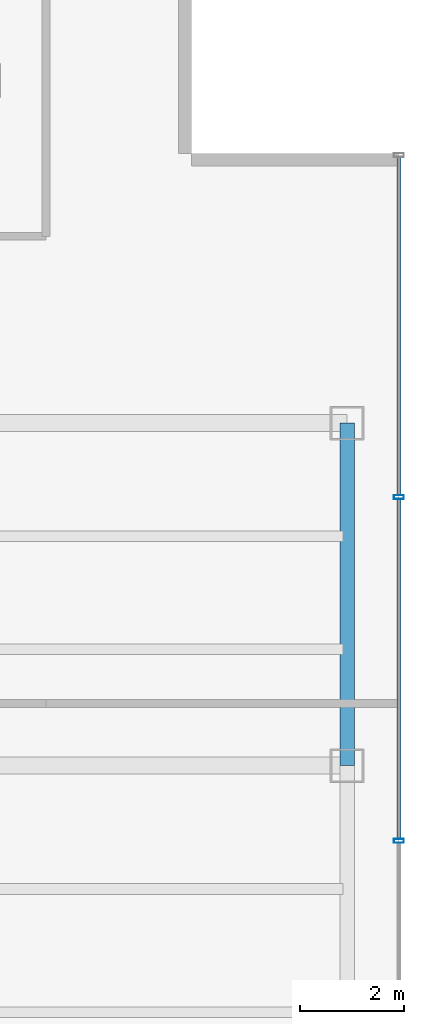
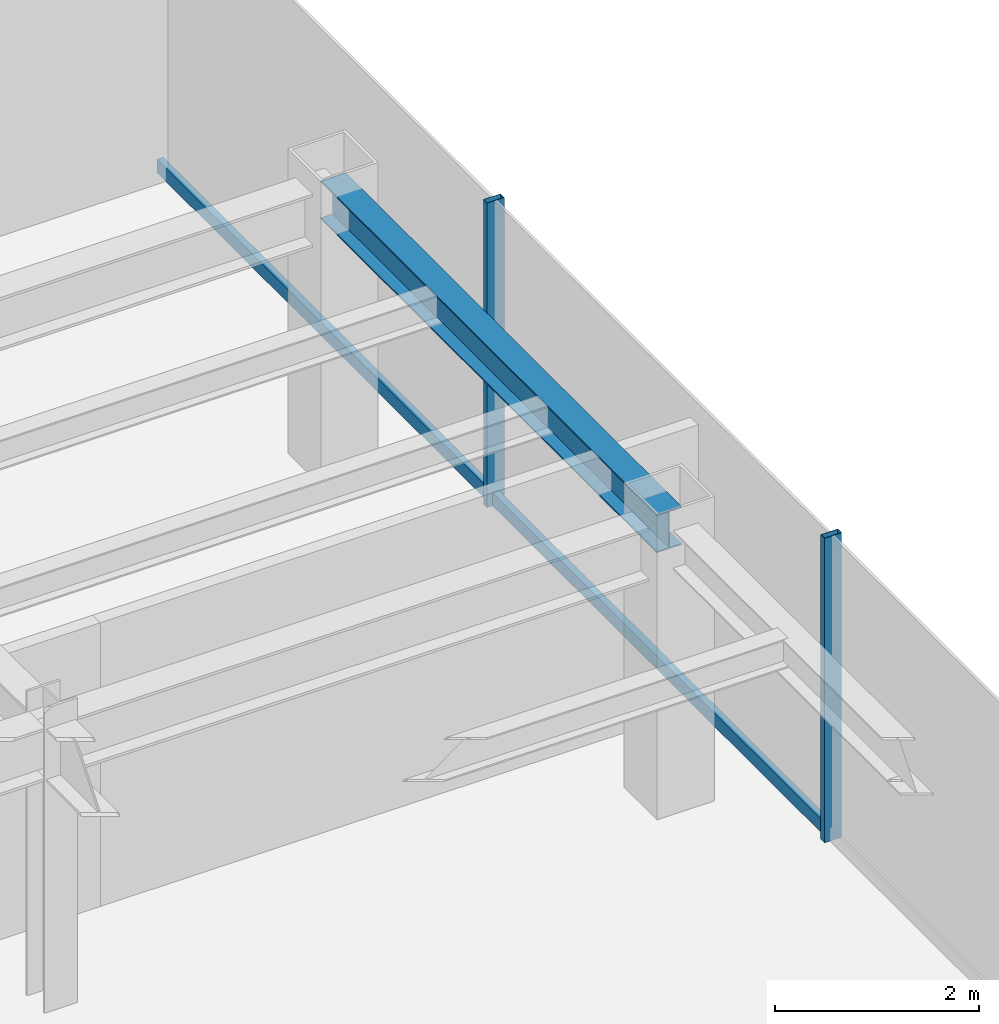
# One storey, part 13 of 25: 4 members, 1 beam, 1 element without a shape of its own.
"""IFC4 building model written with IfcOpenShell, lengths in metres."""

import ifcopenshell
import ifcopenshell.guid

model = None  # the IFC model being written
_history = None  # IfcOwnerHistory: only IFC2X3 demands one
_inside = {}  # id of a spatial element -> (the spatial element, [elements in it])
_under = {}  # id of a project, library or spatial element -> (it, [spatial elements below it])
_declared = {}  # id of a project -> (the project, [libraries it declares])
_typed = {}  # id of a type object -> (the type object, [elements of that type])
_made_of = {}  # id of a material, layer set ... -> (it, [elements and type objects made of it])


def new_model(schema):
    """Start an empty IFC model of exactly this schema.

    Asked for "IFC4X3", IfcOpenShell would pick the latest addendum, in which some entities
    have other attributes; the version numbers below select the first issue.
    IFC2X3 requires an IfcOwnerHistory on every rooted entity: one is made here for all.
    """
    global model, _history
    if schema == "IFC4X3":
        model = ifcopenshell.file(schema_version=(4, 3, 0, 0))
    else:
        model = ifcopenshell.file(schema=schema)
    _inside.clear()
    _under.clear()
    _declared.clear()
    _typed.clear()
    _made_of.clear()
    _history = None
    if model.schema == "IFC2X3":
        org = make("IfcOrganization", Name="unknown")
        user = make(
            "IfcPersonAndOrganization",
            ThePerson=make("IfcPerson", FamilyName="unknown"),
            TheOrganization=org,
        )
        app = make(
            "IfcApplication",
            ApplicationDeveloper=org,
            Version="unknown",
            ApplicationFullName="unknown",
            ApplicationIdentifier="unknown",
        )
        _history = make(
            "IfcOwnerHistory",
            OwningUser=user,
            OwningApplication=app,
            ChangeAction="ADDED",
            CreationDate=0,
        )
    return model


def make(cls, **values):
    """One entity of the class cls with the attributes given. An attribute that is None is left unset."""
    return model.create_entity(
        cls, **{name: value for name, value in values.items() if value is not None}
    )


def rooted(cls, **values):
    """An entity with a GlobalId (a new one), such as an element, a storey or a relation."""
    return make(cls, GlobalId=ifcopenshell.guid.new(), OwnerHistory=_history, **values)


def si_unit(unit_type, name, prefix=None):
    """IfcSIUnit, for example si_unit("LENGTHUNIT", "METRE", prefix="MILLI")."""
    return make("IfcSIUnit", UnitType=unit_type, Prefix=prefix, Name=name)


def derived_unit(unit_type, elements):
    """IfcDerivedUnit: a product of units, each with its exponent."""
    return make(
        "IfcDerivedUnit",
        Elements=[
            make("IfcDerivedUnitElement", Unit=unit, Exponent=power)
            for unit, power in elements
        ],
        UnitType=unit_type,
    )


def assignment(units):
    """IfcUnitAssignment: the units of a project."""
    return None if units is None else make("IfcUnitAssignment", Units=units)


def point(xyz):
    """IfcCartesianPoint."""
    return None if xyz is None else make("IfcCartesianPoint", Coordinates=xyz)


def direction(xyz):
    """IfcDirection."""
    return None if xyz is None else make("IfcDirection", DirectionRatios=xyz)


def frame(location, z_axis=None, x_axis=None):
    """IfcAxis2Placement3D, a coordinate frame: its origin and axes. An axis left out is left unset."""
    return make(
        "IfcAxis2Placement3D",
        Location=point(location),
        Axis=direction(z_axis),
        RefDirection=direction(x_axis),
    )


def frame_2d(location, x_axis=None):
    """IfcAxis2Placement2D, a coordinate frame in the plane: its origin and x axis."""
    return make(
        "IfcAxis2Placement2D", Location=point(location), RefDirection=direction(x_axis)
    )


def origin():
    """The frame at (0, 0, 0) with its axes left unset."""
    return frame((0.0, 0.0, 0.0))


def origin_2d():
    """The frame at (0, 0) in the plane with its x axis left unset."""
    return frame_2d((0.0, 0.0))


def place(relative_to, where):
    """IfcLocalPlacement: puts the frame where relative to a parent placement (None: the world)."""
    return make(
        "IfcLocalPlacement", PlacementRelTo=relative_to, RelativePlacement=where
    )


def context(
    kind, dimensions, precision=None, world=None, true_north=None, identifier=None
):
    """IfcGeometricRepresentationContext, for example the 3D "Model" context."""
    return make(
        "IfcGeometricRepresentationContext",
        ContextIdentifier=identifier,
        ContextType=kind,
        CoordinateSpaceDimension=dimensions,
        Precision=precision,
        WorldCoordinateSystem=world,
        TrueNorth=true_north,
    )


def subcontext(parent, identifier, kind, view, scale=None):
    """IfcGeometricRepresentationSubContext, for example "Body" below "Model"."""
    return make(
        "IfcGeometricRepresentationSubContext",
        ContextIdentifier=identifier,
        ContextType=kind,
        ParentContext=parent,
        TargetScale=scale,
        TargetView=view,
    )


def project(units=None, contexts=None):
    """IfcProject with its units and contexts."""
    return rooted(
        "IfcProject",
        Name="project",
        RepresentationContexts=contexts,
        UnitsInContext=assignment(units),
    )


def spatial(cls, under=None, at=None, **own):
    """A site, building, storey or space (cls), placed at a placement, below another one or the project."""
    s = rooted(cls, ObjectPlacement=at, **own)
    if under is not None:
        _under.setdefault(under.id(), (under, []))[1].append(s)
    return s


def profile(cls, at=None, kind="AREA", **sizes):
    """A parametric profile (cls). Its sizes go by their IFC names, for example OverallWidth=200.0."""
    return make(cls, ProfileType=kind, Position=at, **sizes)


def hollow_rectangle(**sizes):
    """IfcRectangleHollowProfileDef."""
    return profile("IfcRectangleHollowProfileDef", **sizes)


def i_section(**sizes):
    """IfcIShapeProfileDef."""
    return profile("IfcIShapeProfileDef", **sizes)


def extrude(swept, where, along, depth):
    """IfcExtrudedAreaSolid: the profile swept, set in the frame where, extruded along a direction by depth."""
    return make(
        "IfcExtrudedAreaSolid",
        SweptArea=swept,
        Position=where,
        ExtrudedDirection=direction(along),
        Depth=depth,
    )


def shape(context_of_items, identifier, shape_type, items):
    """IfcShapeRepresentation: the items that make up one representation, for example the "Body"."""
    return make(
        "IfcShapeRepresentation",
        ContextOfItems=context_of_items,
        RepresentationIdentifier=identifier,
        RepresentationType=shape_type,
        Items=items,
    )


def source(mapping_origin, context_of_items, identifier, shape_type, items):
    """IfcRepresentationMap: a shape defined once, which mapped items show again and again."""
    return make(
        "IfcRepresentationMap",
        MappingOrigin=mapping_origin,
        MappedRepresentation=shape(context_of_items, identifier, shape_type, items),
    )


def transform(
    local_origin,
    x_axis=None,
    y_axis=None,
    z_axis=None,
    scale=None,
    scale2=None,
    scale3=None,
    uniform=True,
):
    """IfcCartesianTransformationOperator3D, or its non-uniform kind. x_axis, y_axis, z_axis: its Axis1, 2, 3."""
    if uniform:
        return make(
            "IfcCartesianTransformationOperator3D",
            Axis1=direction(x_axis),
            Axis2=direction(y_axis),
            LocalOrigin=point(local_origin),
            Scale=scale,
            Axis3=direction(z_axis),
        )
    return make(
        "IfcCartesianTransformationOperator3DnonUniform",
        Axis1=direction(x_axis),
        Axis2=direction(y_axis),
        LocalOrigin=point(local_origin),
        Scale=scale,
        Axis3=direction(z_axis),
        Scale2=scale2,
        Scale3=scale3,
    )


def mapped(mapping_source, mapping_target):
    """IfcMappedItem: shows the shape of a source again, moved by a transform."""
    return make(
        "IfcMappedItem", MappingSource=mapping_source, MappingTarget=mapping_target
    )


def material(Name=None, Category=None):
    """IfcMaterial."""
    return make("IfcMaterial", Name=Name, Category=Category)


def material_profile(
    of_material, cross_section, Name=None, Category=None, Priority=None
):
    """IfcMaterialProfile: a cross section and its material."""
    return make(
        "IfcMaterialProfile",
        Name=Name,
        Material=of_material,
        Profile=cross_section,
        Priority=Priority,
        Category=Category,
    )


def profile_set(profiles, Name=None, composite=None):
    """IfcMaterialProfileSet."""
    return make(
        "IfcMaterialProfileSet",
        Name=Name,
        MaterialProfiles=profiles,
        CompositeProfile=composite,
    )


def made_of(thing, what):
    """Note that an element or type object is made of a material, layer set ...; save() writes the relation."""
    if what is not None:
        _made_of.setdefault(what.id(), (what, []))[1].append(thing)
    return thing


def type_object(cls, material=None, **own):
    """A type object (cls), such as IfcWallType, which elements share."""
    return made_of(rooted(cls, **own), material)


def element(
    cls,
    number,
    at=None,
    inside=None,
    cuts=None,
    type_object=None,
    material=None,
    context=None,
    identifier="Body",
    shape_type=None,
    held_by="IfcProductDefinitionShape",
    body=None,
    shapes=None,
    **own,
):
    """One element of the class cls, such as IfcWall. Its Tag is "e" and its number.

    at: its placement. inside: the storey or other place that contains it. cuts: it is an
    opening in that element (IfcRelVoidsElement). A single representation is given by context,
    identifier, shape_type and body (its items); several are given by shapes. held_by: the class
    of the entity that holds the representations. save() writes the other relations.
    """
    e = rooted(cls, Tag="e%d" % number, ObjectPlacement=at, **own)
    if body is not None:
        shapes = [shape(context, identifier, shape_type, body)]
    if shapes is not None:
        e.Representation = make(held_by, Representations=shapes)
    if inside is not None:
        _inside.setdefault(inside.id(), (inside, []))[1].append(e)
    if cuts is not None:
        rooted(
            "IfcRelVoidsElement", RelatingBuildingElement=cuts, RelatedOpeningElement=e
        )
    if type_object is not None:
        _typed.setdefault(type_object.id(), (type_object, []))[1].append(e)
    return made_of(e, material)


def aggregate(whole, parts):
    """IfcRelAggregates: a whole, such as a stair, and the parts it consists of."""
    return rooted("IfcRelAggregates", RelatingObject=whole, RelatedObjects=parts)


def save(model, path):
    """Write the relations noted so far, then the file.

    IfcRelAggregates (storeys below a building ...), IfcRelContainedInSpatialStructure (elements
    in a storey), IfcRelDefinesByType, IfcRelAssociatesMaterial and IfcRelDeclares: one each for
    every whole, place, type object, material and project.
    """
    for whole, parts in _under.values():
        aggregate(whole, parts)
    for where, things in _inside.values():
        rooted(
            "IfcRelContainedInSpatialStructure",
            RelatedElements=things,
            RelatingStructure=where,
        )
    for kind, things in _typed.values():
        rooted("IfcRelDefinesByType", RelatedObjects=things, RelatingType=kind)
    for what, things in _made_of.values():
        rooted("IfcRelAssociatesMaterial", RelatedObjects=things, RelatingMaterial=what)
    for by, libraries in _declared.values():
        rooted("IfcRelDeclares", RelatingContext=by, RelatedDefinitions=libraries)
    model.write(path)


model = new_model("IFC4")

# Units and contexts
model_context = context("Model", 3, precision=1e-05, world=origin(), true_north=direction((0.0, 1.0)))
body_context = subcontext(model_context, "Body", "Model", "MODEL_VIEW")
ifc_project = project(units=[si_unit("LENGTHUNIT", "METRE"), si_unit("AREAUNIT", "SQUARE_METRE"), si_unit("VOLUMEUNIT", "CUBIC_METRE"), si_unit("PLANEANGLEUNIT", "RADIAN"), si_unit("MASSUNIT", "GRAM", prefix="KILO"), derived_unit("THERMALTRANSMITTANCEUNIT", [(si_unit("POWERUNIT", "WATT"), 1), (si_unit("LENGTHUNIT", "METRE"), -2), (si_unit("THERMODYNAMICTEMPERATUREUNIT", "KELVIN"), -1)])], contexts=[model_context])

# Site, building, storey
site_placement = place(None, origin())
site = spatial("IfcSite", under=ifc_project, at=site_placement, CompositionType="ELEMENT")
building_placement = place(site_placement, origin())
building = spatial("IfcBuilding", under=site, at=building_placement, Name="Skarnbrae Concourse Arena and Tower", CompositionType="ELEMENT")
storey_placement = place(building_placement, frame((0.0, 0.0, 177.10009765625)))
storey = spatial("IfcBuildingStorey", under=building, at=storey_placement, Name="L45", CompositionType="ELEMENT", Elevation=177.10009765625)

# Beam
ifc_material_1 = material(Name="Steel CSA G40.21 350W", Category="steel")
ifc_material_profile_1 = material_profile(ifc_material_1, i_section(OverallWidth=0.280029296875, OverallDepth=0.462890625, WebThickness=0.0107421875, FlangeThickness=0.017333984375, at=origin_2d()), Name="W460X113")
ifc_profile_set_1 = profile_set([ifc_material_profile_1], Name="Steel CSA G40.21 350W")
beam_type = type_object("IfcBeamType", Name="BM-SPAN-W460X113", PredefinedType="SPANDREL", material=ifc_profile_set_1)
shared_shape_1 = source(origin(), body_context, "Body", "SweptSolid", [
    extrude(i_section(OverallWidth=0.280029296875, OverallDepth=0.462890625, WebThickness=0.0107421875, FlangeThickness=0.017333984375, at=origin_2d()), origin(), (0.0, 0.0, 1.0), 6.60009765625),
])
beam_placement = place(storey_placement, frame((49.0, 21.199951171875, 3.16845703125), z_axis=(0.0, 1.0, 0.0), x_axis=(-1.0, 0.0, 0.0)))
element("IfcBeam", 1, at=beam_placement, inside=storey, type_object=beam_type, Name="L45 Perimeter spandrel X49.0-3", PredefinedType="SPANDREL", context=body_context, shape_type="MappedRepresentation", body=[
    mapped(shared_shape_1, transform((0.0, 0.0, 0.0))),
])

# Curtain wall, members
ifc_material_2 = material(Name="Bronze anodised aluminium 6063-T6", Category="aluminium")
curtain_wall_type = type_object("IfcCurtainWallType", Name="CW-SYS-04-MIDZONE", PredefinedType="USERDEFINED", material=ifc_material_2)
curtain_wall_placement = place(storey_placement, origin())
curtain_wall = element("IfcCurtainWall", 2, at=curtain_wall_placement, inside=storey, type_object=curtain_wall_type, Name="L45 Unitised curtain wall CW-L45-E04", ObjectType="UNITISED CURTAIN WALL", PredefinedType="USERDEFINED")
ifc_material_profile_2 = material_profile(ifc_material_2, hollow_rectangle(XDim=0.074951171875, YDim=0.195068359375, WallThickness=0.00439453125, at=origin_2d()), Name="ALU-MULL-75X195")
ifc_profile_set_2 = profile_set([ifc_material_profile_2], Name="Bronze anodised aluminium 6063-T6")
member_type_1 = type_object("IfcMemberType", Name="CWM-CW-04", PredefinedType="MULLION", material=ifc_profile_set_2)
shared_shape_2 = source(origin(), body_context, "Body", "SweptSolid", [
    extrude(hollow_rectangle(XDim=0.074951171875, YDim=0.195068359375, WallThickness=0.00439453125, at=origin_2d()), origin(), (0.0, 0.0, 1.0), 3.64990234375),
])
member_1_placement = place(storey_placement, frame((50.0, 19.75, 0.0), z_axis=(0.0, 0.0, 1.0), x_axis=(0.0, 1.0, 0.0)))
member_1 = element("IfcMember", 3, at=member_1_placement, type_object=member_type_1, Name="CW-L45-E04 Mullion 3", PredefinedType="MULLION", context=body_context, shape_type="MappedRepresentation", body=[
    mapped(shared_shape_2, transform((0.0, 0.0, 0.0))),
])
member_2_placement = place(storey_placement, frame((50.0, 26.375, 0.0), z_axis=(0.0, 0.0, 1.0), x_axis=(0.0, 1.0, 0.0)))
member_2 = element("IfcMember", 4, at=member_2_placement, type_object=member_type_1, Name="CW-L45-E04 Mullion 4", PredefinedType="MULLION", context=body_context, shape_type="MappedRepresentation", body=[
    mapped(shared_shape_2, transform((0.0, 0.0, 0.0))),
])
ifc_material_profile_3 = material_profile(ifc_material_2, hollow_rectangle(XDim=0.074951171875, YDim=0.159912109375, WallThickness=0.00439453125, at=origin_2d()), Name="ALU-TRAN-75X160")
ifc_profile_set_3 = profile_set([ifc_material_profile_3], Name="Bronze anodised aluminium 6063-T6")
member_type_2 = type_object("IfcMemberType", Name="CWT-CW-04", PredefinedType="USERDEFINED", material=ifc_profile_set_3)
shared_shape_3 = source(origin(), body_context, "Body", "SweptSolid", [
    extrude(hollow_rectangle(XDim=0.074951171875, YDim=0.159912109375, WallThickness=0.00439453125, at=origin_2d()), origin(), (0.0, 0.0, 1.0), 6.512451171875),
])
member_3_placement = place(storey_placement, frame((50.0, 26.41259765625, 0.079833984375), z_axis=(0.0, 1.0, 0.0), x_axis=(-1.0, 0.0, 0.0)))
member_3 = element("IfcMember", 5, at=member_3_placement, type_object=member_type_2, Name="CW-L45-E04 Transom 4", ObjectType="TRANSOM", PredefinedType="USERDEFINED", context=body_context, shape_type="MappedRepresentation", body=[
    mapped(shared_shape_3, transform((0.0, 0.0, 0.0))),
])
shared_shape_4 = source(origin(), body_context, "Body", "SweptSolid", [
    extrude(hollow_rectangle(XDim=0.074951171875, YDim=0.159912109375, WallThickness=0.00439453125, at=origin_2d()), origin(), (0.0, 0.0, 1.0), 6.5498046875),
])
member_4_placement = place(storey_placement, frame((50.0, 19.78759765625, 0.079833984375), z_axis=(0.0, 1.0, 0.0), x_axis=(-1.0, 0.0, 0.0)))
member_4 = element("IfcMember", 6, at=member_4_placement, type_object=member_type_2, Name="CW-L45-E04 Transom 3", ObjectType="TRANSOM", PredefinedType="USERDEFINED", context=body_context, shape_type="MappedRepresentation", body=[
    mapped(shared_shape_4, transform((0.0, 0.0, 0.0))),
])
aggregate(curtain_wall, [member_1, member_2, member_4, member_3])

save(model, "model.ifc")
